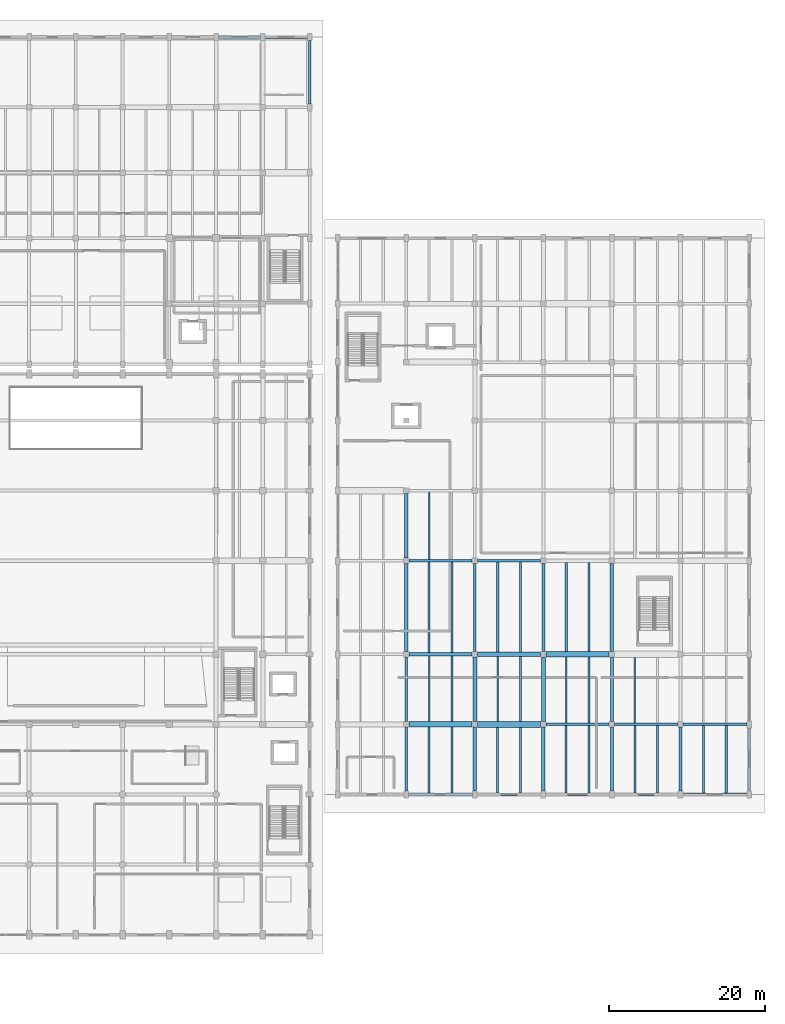
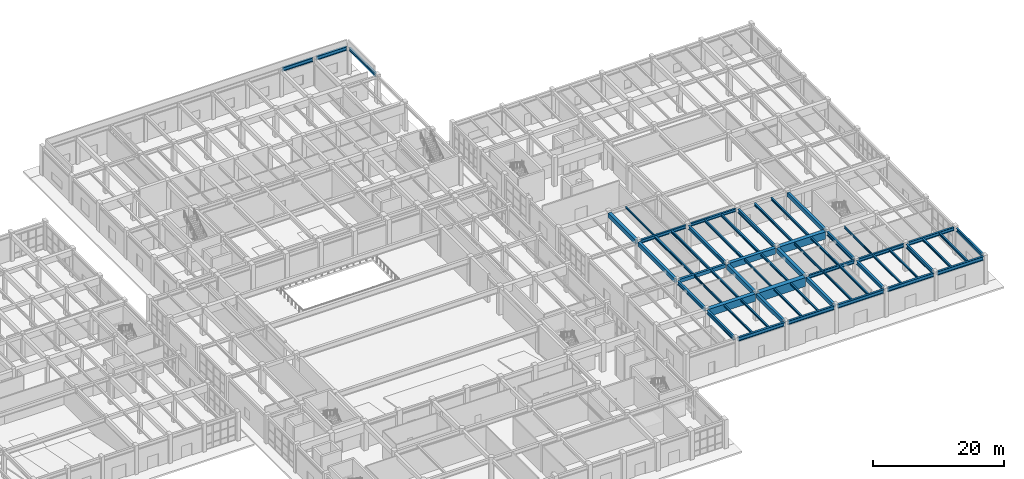
# One storey, part 50 of 91: 57 beams.
"""IFC4 building model written with IfcOpenShell, lengths in metres."""

from ifc_helpers import new_model, si_unit, direction, frame, origin, origin_2d, place, context, subcontext, project, spatial, rectangle, i_section, extrude, material, material_profile, profile_set, type_object, element, save


model = new_model("IFC4")

# Units and contexts
model_context = context("Model", 3, precision=1e-05, world=origin(), true_north=direction((0.0, 1.0)))
body_context = subcontext(model_context, "Body", "Model", "MODEL_VIEW")
ifc_project = project(units=[si_unit("LENGTHUNIT", "METRE"), si_unit("AREAUNIT", "SQUARE_METRE"), si_unit("VOLUMEUNIT", "CUBIC_METRE"), si_unit("PLANEANGLEUNIT", "RADIAN"), si_unit("MASSUNIT", "GRAM", prefix="KILO")], contexts=[model_context])

# Site, building, storey
site_placement = place(None, origin())
site = spatial("IfcSite", under=ifc_project, at=site_placement, CompositionType="ELEMENT")
building_placement = place(site_placement, origin())
building = spatial("IfcBuilding", under=site, at=building_placement, Name="Vaelkrest Opera House", CompositionType="ELEMENT")
storey_placement = place(building_placement, origin())
storey = spatial("IfcBuildingStorey", under=building, at=storey_placement, Name="L00", CompositionType="ELEMENT", Elevation=0.0)

# Beams
ifc_material_1 = material(Name="Concrete C50/60", Category="concrete")
ifc_material_profile_1 = material_profile(ifc_material_1, rectangle(XDim=0.39990234375, YDim=0.64990234375, at=origin_2d()), Name="RCB400X650")
ifc_profile_set_1 = profile_set([ifc_material_profile_1], Name="Concrete C50/60")
beam_type_1 = type_object("IfcBeamType", Name="B01", PredefinedType="BEAM", material=ifc_profile_set_1)
beam_1_placement = place(storey_placement, frame((42.75, -19.800048828125, 4.7548828125), z_axis=(1.0, 0.0, 0.0), x_axis=(0.0, 1.0, 0.0)))
element("IfcBeam", 1, at=beam_1_placement, inside=storey, type_object=beam_type_1, Name="Beam BM-V4-L00-1957", PredefinedType="BEAM", context=body_context, shape_type="SweptSolid", body=[
    extrude(rectangle(XDim=0.39990234375, YDim=0.64990234375, at=origin_2d()), origin(), (0.0, 0.0, 1.0), 8.10009765625),
])
ifc_material_profile_2 = material_profile(ifc_material_1, rectangle(XDim=0.449951171875, YDim=0.75, at=origin_2d()), Name="RCB450X750")
ifc_profile_set_2 = profile_set([ifc_material_profile_2], Name="Concrete C50/60")
beam_type_2 = type_object("IfcBeamType", Name="B02", PredefinedType="BEAM", material=ifc_profile_set_2)
beam_2_placement = place(storey_placement, frame((42.39990234375, -19.449951171875, 4.705078125), z_axis=(0.0, 1.0, 0.0), x_axis=(-1.0, 0.0, 0.0)))
element("IfcBeam", 2, at=beam_2_placement, inside=storey, type_object=beam_type_2, Name="Beam BM-V4-L00-2003", PredefinedType="BEAM", context=body_context, shape_type="SweptSolid", body=[
    extrude(rectangle(XDim=0.449951171875, YDim=0.75, at=origin_2d()), origin(), (0.0, 0.0, 1.0), 11.300048828125),
])
for number, where, z_axis, x_axis, name in (
    (3, (51.199951171875, -37.35009765625, 4.705078125), (0.0, 1.0, 0.0), (-1.0, 0.0, 0.0), "Beam BM-V4-L00-2007"),
    (4, (60.0, -37.35009765625, 4.705078125), (0.0, 1.0, 0.0), (-1.0, 0.0, 0.0), "Beam BM-V4-L00-2015"),
):
    element("IfcBeam", number, at=place(storey_placement, frame(where, z_axis=z_axis, x_axis=x_axis)), inside=storey, type_object=beam_type_2, Name=name, PredefinedType="BEAM", context=body_context, shape_type="SweptSolid", body=[
        extrude(rectangle(XDim=0.449951171875, YDim=0.75, at=origin_2d()), origin(), (0.0, 0.0, 1.0), 8.2001953125),
    ])
beam_3_placement = place(storey_placement, frame((68.800048828125, -19.449951171875, 4.705078125), z_axis=(0.0, 1.0, 0.0), x_axis=(-1.0, 0.0, 0.0)))
element("IfcBeam", 5, at=beam_3_placement, inside=storey, type_object=beam_type_2, Name="Beam BM-V4-L00-2023", PredefinedType="BEAM", context=body_context, shape_type="SweptSolid", body=[
    extrude(rectangle(XDim=0.449951171875, YDim=0.75, at=origin_2d()), origin(), (0.0, 0.0, 1.0), 11.300048828125),
])
ifc_material_profile_3 = material_profile(ifc_material_1, rectangle(XDim=0.5, YDim=0.85009765625, at=origin_2d()), Name="RCB500X850")
ifc_profile_set_3 = profile_set([ifc_material_profile_3], Name="Concrete C50/60")
beam_type_3 = type_object("IfcBeamType", Name="B03", PredefinedType="BEAM", material=ifc_profile_set_3)
for number, where, z_axis, x_axis, name in (
    (6, (42.39990234375, -7.449951171875, 4.655029296875), (0.0, 1.0, 0.0), (-1.0, 0.0, 0.0), "Beam BM-V4-L00-2004"),
    (7, (51.199951171875, -28.449951171875, 4.655029296875), (0.0, 1.0, 0.0), (-1.0, 0.0, 0.0), "Beam BM-V4-L00-2008"),
    (8, (60.0, -28.449951171875, 4.655029296875), (0.0, 1.0, 0.0), (-1.0, 0.0, 0.0), "Beam BM-V4-L00-2016"),
):
    element("IfcBeam", number, at=place(storey_placement, frame(where, z_axis=z_axis, x_axis=x_axis)), inside=storey, type_object=beam_type_3, Name=name, PredefinedType="BEAM", context=body_context, shape_type="SweptSolid", body=[
        extrude(rectangle(XDim=0.5, YDim=0.85009765625, at=origin_2d()), origin(), (0.0, 0.0, 1.0), 8.300048828125),
    ])
ifc_material_profile_4 = material_profile(ifc_material_1, rectangle(XDim=0.60009765625, YDim=1.10009765625, at=origin_2d()), Name="RCB600X1100")
ifc_profile_set_4 = profile_set([ifc_material_profile_4], Name="Concrete C50/60")
beam_type_4 = type_object("IfcBeamType", Name="B05", PredefinedType="BEAM", material=ifc_profile_set_4)
beam_4_placement = place(storey_placement, frame((51.550048828125, -19.800048828125, 4.530029296875), z_axis=(1.0, 0.0, 0.0), x_axis=(0.0, 1.0, 0.0)))
element("IfcBeam", 9, at=beam_4_placement, inside=storey, type_object=beam_type_4, Name="Beam BM-V4-L00-1958", PredefinedType="BEAM", context=body_context, shape_type="SweptSolid", body=[
    extrude(rectangle(XDim=0.60009765625, YDim=1.10009765625, at=origin_2d()), origin(), (0.0, 0.0, 1.0), 8.099853515625),
])
ifc_material_profile_5 = material_profile(ifc_material_1, rectangle(XDim=0.699951171875, YDim=1.35009765625, at=origin_2d()), Name="RCB700X1350")
ifc_profile_set_5 = profile_set([ifc_material_profile_5], Name="Concrete C50/60")
beam_type_5 = type_object("IfcBeamType", Name="B06", PredefinedType="BEAM", material=ifc_profile_set_5)
beam_5_placement = place(storey_placement, frame((42.75, -28.800048828125, 4.405029296875), z_axis=(1.0, 0.0, 0.0), x_axis=(0.0, 1.0, 0.0)))
element("IfcBeam", 10, at=beam_5_placement, inside=storey, type_object=beam_type_5, Name="Beam BM-V4-L00-1951", PredefinedType="BEAM", context=body_context, shape_type="SweptSolid", body=[
    extrude(rectangle(XDim=0.699951171875, YDim=1.35009765625, at=origin_2d()), origin(), (0.0, 0.0, 1.0), 8.10009765625),
])
beam_6_placement = place(storey_placement, frame((60.35009765625, -19.800048828125, 4.405029296875), z_axis=(1.0, 0.0, 0.0), x_axis=(0.0, 1.0, 0.0)))
element("IfcBeam", 11, at=beam_6_placement, inside=storey, type_object=beam_type_5, Name="Beam BM-V4-L00-1959", PredefinedType="BEAM", context=body_context, shape_type="SweptSolid", body=[
    extrude(rectangle(XDim=0.699951171875, YDim=1.35009765625, at=origin_2d()), origin(), (0.0, 0.0, 1.0), 8.099853515625),
])
ifc_material_profile_6 = material_profile(ifc_material_1, rectangle(XDim=0.800048828125, YDim=1.64990234375, at=origin_2d()), Name="RCB800X1650")
ifc_profile_set_6 = profile_set([ifc_material_profile_6], Name="Concrete C50/60")
beam_type_6 = type_object("IfcBeamType", Name="B07", PredefinedType="BEAM", material=ifc_profile_set_6)
beam_7_placement = place(storey_placement, frame((51.550048828125, -28.800048828125, 4.2548828125), z_axis=(1.0, 0.0, 0.0), x_axis=(0.0, 1.0, 0.0)))
element("IfcBeam", 12, at=beam_7_placement, inside=storey, type_object=beam_type_6, Name="Beam BM-V4-L00-1952", PredefinedType="BEAM", context=body_context, shape_type="SweptSolid", body=[
    extrude(rectangle(XDim=0.800048828125, YDim=1.64990234375, at=origin_2d()), origin(), (0.0, 0.0, 1.0), 8.099853515625),
])
ifc_material_2 = material(Name="Steel A992 Gr50", Category="steel")
ifc_material_profile_7 = material_profile(ifc_material_2, i_section(OverallWidth=0.323974609375, OverallDepth=0.611083984375, WebThickness=0.0126953125, FlangeThickness=0.01904296875, at=origin_2d()), Name="W24X104")
ifc_profile_set_7 = profile_set([ifc_material_profile_7], Name="Steel A992 Gr50")
beam_type_7 = type_object("IfcBeamType", Name="B08", PredefinedType="BEAM", material=ifc_profile_set_7)
beam_8_placement = place(storey_placement, frame((60.35009765625, -28.800048828125, 4.7744140625), z_axis=(1.0, 0.0, 0.0), x_axis=(0.0, 1.0, 0.0)))
element("IfcBeam", 13, at=beam_8_placement, inside=storey, type_object=beam_type_7, Name="Beam BM-V4-L00-1953", PredefinedType="BEAM", context=body_context, shape_type="SweptSolid", body=[
    extrude(i_section(OverallWidth=0.323974609375, OverallDepth=0.611083984375, WebThickness=0.0126953125, FlangeThickness=0.01904296875, at=origin_2d()), origin(), (0.0, 0.0, 1.0), 8.099853515625),
])
ifc_material_profile_8 = material_profile(ifc_material_2, i_section(OverallWidth=0.327880859375, OverallDepth=0.6279296875, WebThickness=0.0166015625, FlangeThickness=0.027587890625, at=origin_2d()), Name="W24X146")
ifc_profile_set_8 = profile_set([ifc_material_profile_8], Name="Steel A992 Gr50")
beam_type_8 = type_object("IfcBeamType", Name="B09", PredefinedType="BEAM", material=ifc_profile_set_8)
beam_9_placement = place(storey_placement, frame((69.14990234375, -28.800048828125, 4.76611328125), z_axis=(1.0, 0.0, 0.0), x_axis=(0.0, 1.0, 0.0)))
element("IfcBeam", 14, at=beam_9_placement, inside=storey, type_object=beam_type_8, Name="Beam BM-V4-L00-1954", PredefinedType="BEAM", context=body_context, shape_type="SweptSolid", body=[
    extrude(i_section(OverallWidth=0.327880859375, OverallDepth=0.6279296875, WebThickness=0.0166015625, FlangeThickness=0.027587890625, at=origin_2d()), origin(), (0.0, 0.0, 1.0), 8.10009765625),
])
ifc_material_profile_9 = material_profile(ifc_material_2, i_section(OverallWidth=0.35498046875, OverallDepth=0.695068359375, WebThickness=0.015380859375, FlangeThickness=0.02490234375, at=origin_2d()), Name="W27X146")
ifc_profile_set_9 = profile_set([ifc_material_profile_9], Name="Steel A992 Gr50")
beam_type_9 = type_object("IfcBeamType", Name="B10", PredefinedType="BEAM", material=ifc_profile_set_9)
beam_10_placement = place(storey_placement, frame((42.39990234375, -37.35009765625, 4.732421875), z_axis=(0.0, 1.0, 0.0), x_axis=(-1.0, 0.0, 0.0)))
element("IfcBeam", 15, at=beam_10_placement, inside=storey, type_object=beam_type_9, Name="Beam BM-V4-L00-2001", PredefinedType="BEAM", context=body_context, shape_type="SweptSolid", body=[
    extrude(i_section(OverallWidth=0.35498046875, OverallDepth=0.695068359375, WebThickness=0.015380859375, FlangeThickness=0.02490234375, at=origin_2d()), origin(), (0.0, 0.0, 1.0), 8.2001953125),
])
for number, where, z_axis, x_axis, name in (
    (16, (51.199951171875, -19.449951171875, 4.732421875), (0.0, 1.0, 0.0), (-1.0, 0.0, 0.0), "Beam BM-V4-L00-2009"),
    (17, (60.0, -19.449951171875, 4.732421875), (0.0, 1.0, 0.0), (-1.0, 0.0, 0.0), "Beam BM-V4-L00-2017"),
):
    element("IfcBeam", number, at=place(storey_placement, frame(where, z_axis=z_axis, x_axis=x_axis)), inside=storey, type_object=beam_type_9, Name=name, PredefinedType="BEAM", context=body_context, shape_type="SweptSolid", body=[
        extrude(i_section(OverallWidth=0.35498046875, OverallDepth=0.695068359375, WebThickness=0.015380859375, FlangeThickness=0.02490234375, at=origin_2d()), origin(), (0.0, 0.0, 1.0), 11.300048828125),
    ])
for number, where, z_axis, x_axis, name in (
    (18, (68.800048828125, -37.35009765625, 4.732421875), (0.0, 1.0, 0.0), (-1.0, 0.0, 0.0), "Beam BM-V4-L00-2021"),
    (19, (77.60009765625, -37.35009765625, 4.732421875), (0.0, 1.0, 0.0), (-1.0, 0.0, 0.0), "Beam BM-V4-L00-2029"),
):
    element("IfcBeam", number, at=place(storey_placement, frame(where, z_axis=z_axis, x_axis=x_axis)), inside=storey, type_object=beam_type_9, Name=name, PredefinedType="BEAM", context=body_context, shape_type="SweptSolid", body=[
        extrude(i_section(OverallWidth=0.35498046875, OverallDepth=0.695068359375, WebThickness=0.015380859375, FlangeThickness=0.02490234375, at=origin_2d()), origin(), (0.0, 0.0, 1.0), 8.2001953125),
    ])
ifc_material_profile_10 = material_profile(ifc_material_2, i_section(OverallWidth=0.35791015625, OverallDepth=0.7060546875, WebThickness=0.018310546875, FlangeThickness=0.0302734375, at=origin_2d()), Name="W27X178")
ifc_profile_set_10 = profile_set([ifc_material_profile_10], Name="Steel A992 Gr50")
beam_type_10 = type_object("IfcBeamType", Name="B14", PredefinedType="BEAM", material=ifc_profile_set_10)
for number, where, z_axis, x_axis, name in (
    (20, (42.39990234375, -28.449951171875, 4.72705078125), (0.0, 1.0, 0.0), (-1.0, 0.0, 0.0), "Beam BM-V4-L00-2002"),
    (21, (68.800048828125, -28.449951171875, 4.72705078125), (0.0, 1.0, 0.0), (-1.0, 0.0, 0.0), "Beam BM-V4-L00-2022"),
):
    element("IfcBeam", number, at=place(storey_placement, frame(where, z_axis=z_axis, x_axis=x_axis)), inside=storey, type_object=beam_type_10, Name=name, PredefinedType="BEAM", context=body_context, shape_type="SweptSolid", body=[
        extrude(i_section(OverallWidth=0.35791015625, OverallDepth=0.7060546875, WebThickness=0.018310546875, FlangeThickness=0.0302734375, at=origin_2d()), origin(), (0.0, 0.0, 1.0), 8.300048828125),
    ])
ifc_material_profile_11 = material_profile(ifc_material_2, i_section(OverallWidth=0.326904296875, OverallDepth=0.6220703125, WebThickness=0.015380859375, FlangeThickness=0.0244140625, at=origin_2d()), Name="W24X131")
ifc_profile_set_11 = profile_set([ifc_material_profile_11], Name="Steel A992 Gr50")
beam_type_11 = type_object("IfcBeamType", Name="B19", PredefinedType="BEAM", material=ifc_profile_set_11)
beam_11_placement = place(storey_placement, frame((77.949951171875, -28.800048828125, 4.76904296875), z_axis=(1.0, 0.0, 0.0), x_axis=(0.0, 1.0, 0.0)))
element("IfcBeam", 22, at=beam_11_placement, inside=storey, type_object=beam_type_11, Name="Beam BM-V4-L00-1955", PredefinedType="BEAM", context=body_context, shape_type="SweptSolid", body=[
    extrude(i_section(OverallWidth=0.326904296875, OverallDepth=0.6220703125, WebThickness=0.015380859375, FlangeThickness=0.0244140625, at=origin_2d()), origin(), (0.0, 0.0, 1.0), 8.150146484375),
])
beam_12_placement = place(storey_placement, frame((42.75, -7.800048828125, 4.76904296875), z_axis=(1.0, 0.0, 0.0), x_axis=(0.0, 1.0, 0.0)))
element("IfcBeam", 23, at=beam_12_placement, inside=storey, type_object=beam_type_11, Name="Beam BM-V4-L00-1963", PredefinedType="BEAM", context=body_context, shape_type="SweptSolid", body=[
    extrude(i_section(OverallWidth=0.326904296875, OverallDepth=0.6220703125, WebThickness=0.015380859375, FlangeThickness=0.0244140625, at=origin_2d()), origin(), (0.0, 0.0, 1.0), 8.10009765625),
])
ifc_material_profile_12 = material_profile(ifc_material_2, i_section(OverallWidth=0.31494140625, OverallDepth=0.551025390625, WebThickness=0.01513671875, FlangeThickness=0.0244140625, at=origin_2d()), Name="W21X122")
ifc_profile_set_12 = profile_set([ifc_material_profile_12], Name="Steel A992 Gr50")
beam_type_12 = type_object("IfcBeamType", Name="B20", PredefinedType="BEAM", material=ifc_profile_set_12)
beam_13_placement = place(storey_placement, frame((51.550048828125, -7.800048828125, 4.804443359375), z_axis=(1.0, 0.0, 0.0), x_axis=(0.0, 1.0, 0.0)))
element("IfcBeam", 24, at=beam_13_placement, inside=storey, type_object=beam_type_12, Name="Beam BM-V4-L00-1964", PredefinedType="BEAM", context=body_context, shape_type="SweptSolid", body=[
    extrude(i_section(OverallWidth=0.31494140625, OverallDepth=0.551025390625, WebThickness=0.01513671875, FlangeThickness=0.0244140625, at=origin_2d()), origin(), (0.0, 0.0, 1.0), 8.099853515625),
])
ifc_material_profile_13 = material_profile(ifc_material_2, i_section(OverallWidth=0.2041015625, OverallDepth=0.257080078125, WebThickness=0.0087890625, FlangeThickness=0.015625, at=origin_2d()), Name="W10X45")
ifc_profile_set_13 = profile_set([ifc_material_profile_13], Name="Steel A992 Gr50")
beam_type_13 = type_object("IfcBeamType", Name="J01", PredefinedType="JOIST", material=ifc_profile_set_13)
beam_14_placement = place(storey_placement, frame((45.3330078125, -7.636474609375, 4.951416015625), z_axis=(0.0, 1.0, 0.0), x_axis=(-1.0, 0.0, 0.0)))
element("IfcBeam", 25, at=beam_14_placement, inside=storey, type_object=beam_type_13, Name="Floor joist JST-V4-L00-2061", PredefinedType="JOIST", context=body_context, shape_type="SweptSolid", body=[
    extrude(i_section(OverallWidth=0.2041015625, OverallDepth=0.257080078125, WebThickness=0.0087890625, FlangeThickness=0.015625, at=origin_2d()), origin(), (0.0, 0.0, 1.0), 8.674560546875),
])
ifc_material_profile_14 = material_profile(ifc_material_2, i_section(OverallWidth=0.2548828125, OverallDepth=0.35693359375, WebThickness=0.010498046875, FlangeThickness=0.018310546875, at=origin_2d()), Name="W14X68")
ifc_profile_set_14 = profile_set([ifc_material_profile_14], Name="Steel A992 Gr50")
beam_type_14 = type_object("IfcBeamType", Name="J05", PredefinedType="JOIST", material=ifc_profile_set_14)
beam_15_placement = place(storey_placement, frame((45.3330078125, -37.62255859375, 4.901611328125), z_axis=(0.0, 1.0, 0.0), x_axis=(-1.0, 0.0, 0.0)))
element("IfcBeam", 26, at=beam_15_placement, inside=storey, type_object=beam_type_14, Name="Floor joist JST-V4-L00-2055", PredefinedType="JOIST", context=body_context, shape_type="SweptSolid", body=[
    extrude(i_section(OverallWidth=0.2548828125, OverallDepth=0.35693359375, WebThickness=0.010498046875, FlangeThickness=0.018310546875, at=origin_2d()), origin(), (0.0, 0.0, 1.0), 8.47265625),
])
beam_16_placement = place(storey_placement, frame((54.133056640625, -37.62255859375, 4.901611328125), z_axis=(0.0, 1.0, 0.0), x_axis=(-1.0, 0.0, 0.0)))
element("IfcBeam", 27, at=beam_16_placement, inside=storey, type_object=beam_type_14, Name="Floor joist JST-V4-L00-2065", PredefinedType="JOIST", context=body_context, shape_type="SweptSolid", body=[
    extrude(i_section(OverallWidth=0.2548828125, OverallDepth=0.35693359375, WebThickness=0.010498046875, FlangeThickness=0.018310546875, at=origin_2d()), origin(), (0.0, 0.0, 1.0), 8.422607421875),
])
beam_17_placement = place(storey_placement, frame((62.93310546875, -37.62255859375, 4.901611328125), z_axis=(0.0, 1.0, 0.0), x_axis=(-1.0, 0.0, 0.0)))
element("IfcBeam", 28, at=beam_17_placement, inside=storey, type_object=beam_type_14, Name="Floor joist JST-V4-L00-2075", PredefinedType="JOIST", context=body_context, shape_type="SweptSolid", body=[
    extrude(i_section(OverallWidth=0.2548828125, OverallDepth=0.35693359375, WebThickness=0.010498046875, FlangeThickness=0.018310546875, at=origin_2d()), origin(), (0.0, 0.0, 1.0), 8.66064453125),
])
beam_18_placement = place(storey_placement, frame((71.73291015625, -37.62255859375, 4.901611328125), z_axis=(0.0, 1.0, 0.0), x_axis=(-1.0, 0.0, 0.0)))
element("IfcBeam", 29, at=beam_18_placement, inside=storey, type_object=beam_type_14, Name="Floor joist JST-V4-L00-2085", PredefinedType="JOIST", context=body_context, shape_type="SweptSolid", body=[
    extrude(i_section(OverallWidth=0.2548828125, OverallDepth=0.35693359375, WebThickness=0.010498046875, FlangeThickness=0.018310546875, at=origin_2d()), origin(), (0.0, 0.0, 1.0), 8.658447265625),
])
ifc_material_profile_15 = material_profile(ifc_material_2, i_section(OverallWidth=0.257080078125, OverallDepth=0.363037109375, WebThickness=0.012939453125, FlangeThickness=0.021728515625, at=origin_2d()), Name="W14X82")
ifc_profile_set_15 = profile_set([ifc_material_profile_15], Name="Steel A992 Gr50")
beam_type_15 = type_object("IfcBeamType", Name="J06", PredefinedType="JOIST", material=ifc_profile_set_15)
beam_19_placement = place(storey_placement, frame((48.26708984375, -37.62255859375, 4.8984375), z_axis=(0.0, 1.0, 0.0), x_axis=(-1.0, 0.0, 0.0)))
element("IfcBeam", 30, at=beam_19_placement, inside=storey, type_object=beam_type_15, Name="Floor joist JST-V4-L00-2056", PredefinedType="JOIST", context=body_context, shape_type="SweptSolid", body=[
    extrude(i_section(OverallWidth=0.257080078125, OverallDepth=0.363037109375, WebThickness=0.012939453125, FlangeThickness=0.021728515625, at=origin_2d()), origin(), (0.0, 0.0, 1.0), 8.47265625),
])
beam_20_placement = place(storey_placement, frame((57.06689453125, -37.62255859375, 4.8984375), z_axis=(0.0, 1.0, 0.0), x_axis=(-1.0, 0.0, 0.0)))
element("IfcBeam", 31, at=beam_20_placement, inside=storey, type_object=beam_type_15, Name="Floor joist JST-V4-L00-2066", PredefinedType="JOIST", context=body_context, shape_type="SweptSolid", body=[
    extrude(i_section(OverallWidth=0.257080078125, OverallDepth=0.363037109375, WebThickness=0.012939453125, FlangeThickness=0.021728515625, at=origin_2d()), origin(), (0.0, 0.0, 1.0), 8.422607421875),
])
beam_21_placement = place(storey_placement, frame((65.866943359375, -37.62255859375, 4.8984375), z_axis=(0.0, 1.0, 0.0), x_axis=(-1.0, 0.0, 0.0)))
element("IfcBeam", 32, at=beam_21_placement, inside=storey, type_object=beam_type_15, Name="Floor joist JST-V4-L00-2076", PredefinedType="JOIST", context=body_context, shape_type="SweptSolid", body=[
    extrude(i_section(OverallWidth=0.257080078125, OverallDepth=0.363037109375, WebThickness=0.012939453125, FlangeThickness=0.021728515625, at=origin_2d()), origin(), (0.0, 0.0, 1.0), 8.66064453125),
])
beam_22_placement = place(storey_placement, frame((74.6669921875, -37.62255859375, 4.8984375), z_axis=(0.0, 1.0, 0.0), x_axis=(-1.0, 0.0, 0.0)))
element("IfcBeam", 33, at=beam_22_placement, inside=storey, type_object=beam_type_15, Name="Floor joist JST-V4-L00-2086", PredefinedType="JOIST", context=body_context, shape_type="SweptSolid", body=[
    extrude(i_section(OverallWidth=0.257080078125, OverallDepth=0.363037109375, WebThickness=0.012939453125, FlangeThickness=0.021728515625, at=origin_2d()), origin(), (0.0, 0.0, 1.0), 8.658447265625),
])
ifc_material_profile_16 = material_profile(ifc_material_2, i_section(OverallWidth=0.180908203125, OverallDepth=0.4169921875, WebThickness=0.010986328125, FlangeThickness=0.018310546875, at=origin_2d()), Name="W16X57")
ifc_profile_set_16 = profile_set([ifc_material_profile_16], Name="Steel A992 Gr50")
beam_type_16 = type_object("IfcBeamType", Name="J07", PredefinedType="JOIST", material=ifc_profile_set_16)
beam_23_placement = place(storey_placement, frame((45.3330078125, -28.449951171875, 4.87158203125), z_axis=(0.0, 1.0, 0.0), x_axis=(-1.0, 0.0, 0.0)))
element("IfcBeam", 34, at=beam_23_placement, inside=storey, type_object=beam_type_16, Name="Floor joist JST-V4-L00-2057", PredefinedType="JOIST", context=body_context, shape_type="SweptSolid", body=[
    extrude(i_section(OverallWidth=0.180908203125, OverallDepth=0.4169921875, WebThickness=0.010986328125, FlangeThickness=0.018310546875, at=origin_2d()), origin(), (0.0, 0.0, 1.0), 8.449951171875),
])
beam_24_placement = place(storey_placement, frame((54.133056640625, -28.39990234375, 4.87158203125), z_axis=(0.0, 1.0, 0.0), x_axis=(-1.0, 0.0, 0.0)))
element("IfcBeam", 35, at=beam_24_placement, inside=storey, type_object=beam_type_16, Name="Floor joist JST-V4-L00-2067", PredefinedType="JOIST", context=body_context, shape_type="SweptSolid", body=[
    extrude(i_section(OverallWidth=0.180908203125, OverallDepth=0.4169921875, WebThickness=0.010986328125, FlangeThickness=0.018310546875, at=origin_2d()), origin(), (0.0, 0.0, 1.0), 8.2998046875),
])
beam_25_placement = place(storey_placement, frame((62.93310546875, -28.637939453125, 4.87158203125), z_axis=(0.0, 1.0, 0.0), x_axis=(-1.0, 0.0, 0.0)))
element("IfcBeam", 36, at=beam_25_placement, inside=storey, type_object=beam_type_16, Name="Floor joist JST-V4-L00-2077", PredefinedType="JOIST", context=body_context, shape_type="SweptSolid", body=[
    extrude(i_section(OverallWidth=0.180908203125, OverallDepth=0.4169921875, WebThickness=0.010986328125, FlangeThickness=0.018310546875, at=origin_2d()), origin(), (0.0, 0.0, 1.0), 8.488037109375),
])
beam_26_placement = place(storey_placement, frame((71.73291015625, -28.635986328125, 4.87158203125), z_axis=(0.0, 1.0, 0.0), x_axis=(-1.0, 0.0, 0.0)))
element("IfcBeam", 37, at=beam_26_placement, inside=storey, type_object=beam_type_16, Name="Floor joist JST-V4-L00-2087", PredefinedType="JOIST", context=body_context, shape_type="SweptSolid", body=[
    extrude(i_section(OverallWidth=0.180908203125, OverallDepth=0.4169921875, WebThickness=0.010986328125, FlangeThickness=0.018310546875, at=origin_2d()), origin(), (0.0, 0.0, 1.0), 8.43603515625),
])
ifc_material_profile_17 = material_profile(ifc_material_2, i_section(OverallWidth=0.261962890625, OverallDepth=0.4189453125, WebThickness=0.01171875, FlangeThickness=0.019287109375, at=origin_2d()), Name="W16X77")
ifc_profile_set_17 = profile_set([ifc_material_profile_17], Name="Steel A992 Gr50")
beam_type_17 = type_object("IfcBeamType", Name="J08", PredefinedType="JOIST", material=ifc_profile_set_17)
beam_27_placement = place(storey_placement, frame((48.26708984375, -28.449951171875, 4.87060546875), z_axis=(0.0, 1.0, 0.0), x_axis=(-1.0, 0.0, 0.0)))
element("IfcBeam", 38, at=beam_27_placement, inside=storey, type_object=beam_type_17, Name="Floor joist JST-V4-L00-2058", PredefinedType="JOIST", context=body_context, shape_type="SweptSolid", body=[
    extrude(i_section(OverallWidth=0.261962890625, OverallDepth=0.4189453125, WebThickness=0.01171875, FlangeThickness=0.019287109375, at=origin_2d()), origin(), (0.0, 0.0, 1.0), 8.449951171875),
])
beam_28_placement = place(storey_placement, frame((57.06689453125, -28.39990234375, 4.87060546875), z_axis=(0.0, 1.0, 0.0), x_axis=(-1.0, 0.0, 0.0)))
element("IfcBeam", 39, at=beam_28_placement, inside=storey, type_object=beam_type_17, Name="Floor joist JST-V4-L00-2068", PredefinedType="JOIST", context=body_context, shape_type="SweptSolid", body=[
    extrude(i_section(OverallWidth=0.261962890625, OverallDepth=0.4189453125, WebThickness=0.01171875, FlangeThickness=0.019287109375, at=origin_2d()), origin(), (0.0, 0.0, 1.0), 8.2998046875),
])
beam_29_placement = place(storey_placement, frame((65.866943359375, -28.637939453125, 4.87060546875), z_axis=(0.0, 1.0, 0.0), x_axis=(-1.0, 0.0, 0.0)))
element("IfcBeam", 40, at=beam_29_placement, inside=storey, type_object=beam_type_17, Name="Floor joist JST-V4-L00-2078", PredefinedType="JOIST", context=body_context, shape_type="SweptSolid", body=[
    extrude(i_section(OverallWidth=0.261962890625, OverallDepth=0.4189453125, WebThickness=0.01171875, FlangeThickness=0.019287109375, at=origin_2d()), origin(), (0.0, 0.0, 1.0), 8.488037109375),
])
ifc_material_profile_18 = material_profile(ifc_material_2, i_section(OverallWidth=0.280029296875, OverallDepth=0.462890625, WebThickness=0.0107421875, FlangeThickness=0.017333984375, at=origin_2d()), Name="W18X76")
ifc_profile_set_18 = profile_set([ifc_material_profile_18], Name="Steel A992 Gr50")
beam_type_18 = type_object("IfcBeamType", Name="J09", PredefinedType="JOIST", material=ifc_profile_set_18)
beam_30_placement = place(storey_placement, frame((45.3330078125, -19.60009765625, 4.848388671875), z_axis=(0.0, 1.0, 0.0), x_axis=(-1.0, 0.0, 0.0)))
element("IfcBeam", 41, at=beam_30_placement, inside=storey, type_object=beam_type_18, Name="Floor joist JST-V4-L00-2059", PredefinedType="JOIST", context=body_context, shape_type="SweptSolid", body=[
    extrude(i_section(OverallWidth=0.280029296875, OverallDepth=0.462890625, WebThickness=0.0107421875, FlangeThickness=0.017333984375, at=origin_2d()), origin(), (0.0, 0.0, 1.0), 11.63671875),
])
beam_31_placement = place(storey_placement, frame((54.133056640625, -19.5, 4.848388671875), z_axis=(0.0, 1.0, 0.0), x_axis=(-1.0, 0.0, 0.0)))
element("IfcBeam", 42, at=beam_31_placement, inside=storey, type_object=beam_type_18, Name="Floor joist JST-V4-L00-2069", PredefinedType="JOIST", context=body_context, shape_type="SweptSolid", body=[
    extrude(i_section(OverallWidth=0.280029296875, OverallDepth=0.462890625, WebThickness=0.0107421875, FlangeThickness=0.017333984375, at=origin_2d()), origin(), (0.0, 0.0, 1.0), 11.54248046875),
])
beam_32_placement = place(storey_placement, frame((62.93310546875, -19.449951171875, 4.848388671875), z_axis=(0.0, 1.0, 0.0), x_axis=(-1.0, 0.0, 0.0)))
element("IfcBeam", 43, at=beam_32_placement, inside=storey, type_object=beam_type_18, Name="Floor joist JST-V4-L00-2079", PredefinedType="JOIST", context=body_context, shape_type="SweptSolid", body=[
    extrude(i_section(OverallWidth=0.280029296875, OverallDepth=0.462890625, WebThickness=0.0107421875, FlangeThickness=0.017333984375, at=origin_2d()), origin(), (0.0, 0.0, 1.0), 11.449951171875),
])
beam_33_placement = place(storey_placement, frame((80.532958984375, -37.62255859375, 4.848388671875), z_axis=(0.0, 1.0, 0.0), x_axis=(-1.0, 0.0, 0.0)))
element("IfcBeam", 44, at=beam_33_placement, inside=storey, type_object=beam_type_18, Name="Floor joist JST-V4-L00-2099", PredefinedType="JOIST", context=body_context, shape_type="SweptSolid", body=[
    extrude(i_section(OverallWidth=0.280029296875, OverallDepth=0.462890625, WebThickness=0.0107421875, FlangeThickness=0.017333984375, at=origin_2d()), origin(), (0.0, 0.0, 1.0), 8.6591796875),
])
ifc_material_profile_19 = material_profile(ifc_material_2, i_section(OverallWidth=0.282958984375, OverallDepth=0.471923828125, WebThickness=0.013671875, FlangeThickness=0.022216796875, at=origin_2d()), Name="W18X97")
ifc_profile_set_19 = profile_set([ifc_material_profile_19], Name="Steel A992 Gr50")
beam_type_19 = type_object("IfcBeamType", Name="J10", PredefinedType="JOIST", material=ifc_profile_set_19)
beam_34_placement = place(storey_placement, frame((48.26708984375, -19.60009765625, 4.843994140625), z_axis=(0.0, 1.0, 0.0), x_axis=(-1.0, 0.0, 0.0)))
element("IfcBeam", 45, at=beam_34_placement, inside=storey, type_object=beam_type_19, Name="Floor joist JST-V4-L00-2060", PredefinedType="JOIST", context=body_context, shape_type="SweptSolid", body=[
    extrude(i_section(OverallWidth=0.282958984375, OverallDepth=0.471923828125, WebThickness=0.013671875, FlangeThickness=0.022216796875, at=origin_2d()), origin(), (0.0, 0.0, 1.0), 11.63671875),
])
beam_35_placement = place(storey_placement, frame((57.06689453125, -19.5, 4.843994140625), z_axis=(0.0, 1.0, 0.0), x_axis=(-1.0, 0.0, 0.0)))
element("IfcBeam", 46, at=beam_35_placement, inside=storey, type_object=beam_type_19, Name="Floor joist JST-V4-L00-2070", PredefinedType="JOIST", context=body_context, shape_type="SweptSolid", body=[
    extrude(i_section(OverallWidth=0.282958984375, OverallDepth=0.471923828125, WebThickness=0.013671875, FlangeThickness=0.022216796875, at=origin_2d()), origin(), (0.0, 0.0, 1.0), 11.54248046875),
])
beam_36_placement = place(storey_placement, frame((65.866943359375, -19.449951171875, 4.843994140625), z_axis=(0.0, 1.0, 0.0), x_axis=(-1.0, 0.0, 0.0)))
element("IfcBeam", 47, at=beam_36_placement, inside=storey, type_object=beam_type_19, Name="Floor joist JST-V4-L00-2080", PredefinedType="JOIST", context=body_context, shape_type="SweptSolid", body=[
    extrude(i_section(OverallWidth=0.282958984375, OverallDepth=0.471923828125, WebThickness=0.013671875, FlangeThickness=0.022216796875, at=origin_2d()), origin(), (0.0, 0.0, 1.0), 11.449951171875),
])
beam_37_placement = place(storey_placement, frame((83.467041015625, -37.62255859375, 4.843994140625), z_axis=(0.0, 1.0, 0.0), x_axis=(-1.0, 0.0, 0.0)))
element("IfcBeam", 48, at=beam_37_placement, inside=storey, type_object=beam_type_19, Name="Floor joist JST-V4-L00-2100", PredefinedType="JOIST", context=body_context, shape_type="SweptSolid", body=[
    extrude(i_section(OverallWidth=0.282958984375, OverallDepth=0.471923828125, WebThickness=0.013671875, FlangeThickness=0.022216796875, at=origin_2d()), origin(), (0.0, 0.0, 1.0), 8.6591796875),
])
ifc_material_profile_20 = material_profile(ifc_material_2, i_section(OverallWidth=0.323974609375, OverallDepth=0.611083984375, WebThickness=0.0126953125, FlangeThickness=0.01904296875, at=origin_2d()), Name="W24X104")
ifc_profile_set_20 = profile_set([ifc_material_profile_20], Name="Steel A992 Gr50")
beam_type_20 = type_object("IfcBeamType", Name="SP01", PredefinedType="SPANDREL", material=ifc_profile_set_20)
beam_38_placement = place(storey_placement, frame((30.0, 50.85009765625, 4.799560546875), z_axis=(0.0, 1.0, 0.0), x_axis=(-1.0, 0.0, 0.0)))
element("IfcBeam", 49, at=beam_38_placement, inside=storey, type_object=beam_type_20, Name="Beam BM-V2-L00-0841", PredefinedType="SPANDREL", context=body_context, shape_type="SweptSolid", body=[
    extrude(i_section(OverallWidth=0.323974609375, OverallDepth=0.611083984375, WebThickness=0.0126953125, FlangeThickness=0.01904296875, at=origin_2d()), origin(), (0.0, 0.0, 1.0), 8.099853515625),
])
beam_39_placement = place(storey_placement, frame((86.39990234375, -37.35009765625, 4.7744140625), z_axis=(0.0, 1.0, 0.0), x_axis=(-1.0, 0.0, 0.0)))
element("IfcBeam", 50, at=beam_39_placement, inside=storey, type_object=beam_type_20, Name="Beam BM-V4-L00-2037", PredefinedType="SPANDREL", context=body_context, shape_type="SweptSolid", body=[
    extrude(i_section(OverallWidth=0.323974609375, OverallDepth=0.611083984375, WebThickness=0.0126953125, FlangeThickness=0.01904296875, at=origin_2d()), origin(), (0.0, 0.0, 1.0), 8.10009765625),
])
ifc_material_profile_21 = material_profile(ifc_material_2, i_section(OverallWidth=0.35498046875, OverallDepth=0.695068359375, WebThickness=0.015380859375, FlangeThickness=0.02490234375, at=origin_2d()), Name="W27X146")
ifc_profile_set_21 = profile_set([ifc_material_profile_21], Name="Steel A992 Gr50")
beam_type_21 = type_object("IfcBeamType", Name="SP02", PredefinedType="SPANDREL", material=ifc_profile_set_21)
for number, where, z_axis, x_axis, name in (
    (51, (18.300048828125, 59.39990234375, 4.757568359375), (1.0, 0.0, 0.0), (0.0, 1.0, 0.0), "Beam BM-V2-L00-0793"),
    (52, (24.300048828125, 59.39990234375, 4.757568359375), (1.0, 0.0, 0.0), (0.0, 1.0, 0.0), "Beam BM-V2-L00-0794"),
):
    element("IfcBeam", number, at=place(storey_placement, frame(where, z_axis=z_axis, x_axis=x_axis)), inside=storey, type_object=beam_type_21, Name=name, PredefinedType="SPANDREL", context=body_context, shape_type="SweptSolid", body=[
        extrude(i_section(OverallWidth=0.35498046875, OverallDepth=0.695068359375, WebThickness=0.015380859375, FlangeThickness=0.02490234375, at=origin_2d()), origin(), (0.0, 0.0, 1.0), 5.39990234375),
    ])
for number, where, z_axis, x_axis, name in (
    (53, (42.699951171875, -37.800048828125, 4.732421875), (1.0, 0.0, 0.0), (0.0, 1.0, 0.0), "Beam BM-V4-L00-1945"),
    (54, (51.5, -37.800048828125, 4.732421875), (1.0, 0.0, 0.0), (0.0, 1.0, 0.0), "Beam BM-V4-L00-1946"),
    (55, (60.300048828125, -37.800048828125, 4.732421875), (1.0, 0.0, 0.0), (0.0, 1.0, 0.0), "Beam BM-V4-L00-1947"),
    (56, (69.10009765625, -37.800048828125, 4.732421875), (1.0, 0.0, 0.0), (0.0, 1.0, 0.0), "Beam BM-V4-L00-1948"),
):
    element("IfcBeam", number, at=place(storey_placement, frame(where, z_axis=z_axis, x_axis=x_axis)), inside=storey, type_object=beam_type_21, Name=name, PredefinedType="SPANDREL", context=body_context, shape_type="SweptSolid", body=[
        extrude(i_section(OverallWidth=0.35498046875, OverallDepth=0.695068359375, WebThickness=0.015380859375, FlangeThickness=0.02490234375, at=origin_2d()), origin(), (0.0, 0.0, 1.0), 8.199951171875),
    ])
beam_40_placement = place(storey_placement, frame((77.89990234375, -37.800048828125, 4.732421875), z_axis=(1.0, 0.0, 0.0), x_axis=(0.0, 1.0, 0.0)))
element("IfcBeam", 57, at=beam_40_placement, inside=storey, type_object=beam_type_21, Name="Beam BM-V4-L00-1949", PredefinedType="SPANDREL", context=body_context, shape_type="SweptSolid", body=[
    extrude(i_section(OverallWidth=0.35498046875, OverallDepth=0.695068359375, WebThickness=0.015380859375, FlangeThickness=0.02490234375, at=origin_2d()), origin(), (0.0, 0.0, 1.0), 8.2001953125),
])

save(model, "model.ifc")
